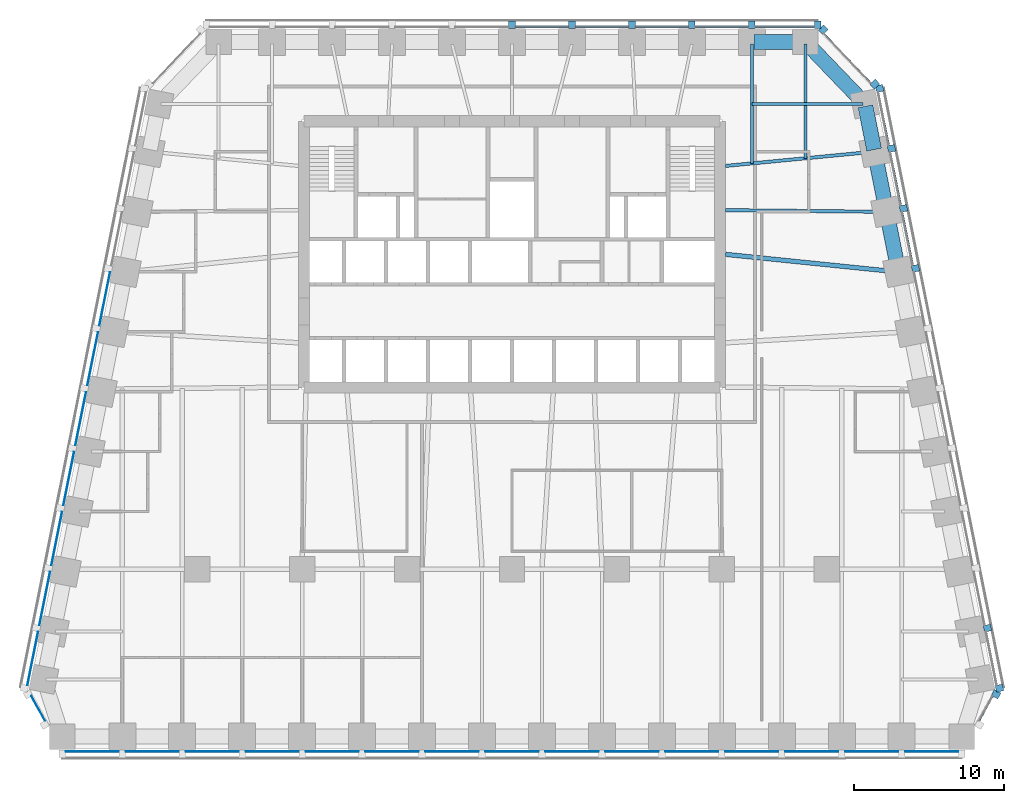
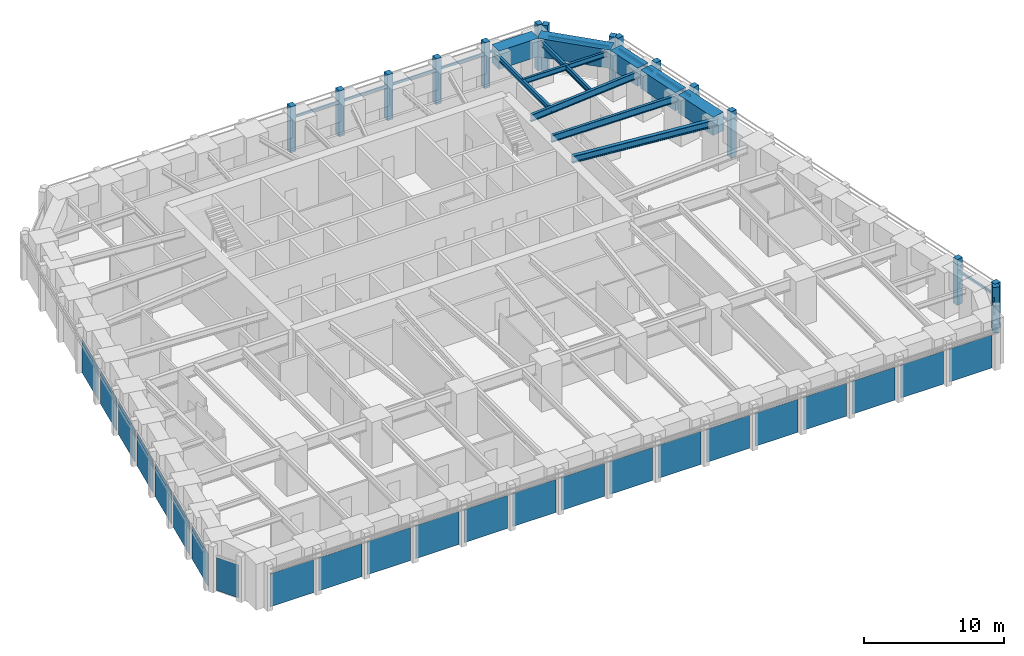
# One storey, part 4 of 10: 26 members, 23 plates, 11 beams, 7 elements without a shape of their own.
"""IFC4 building model written with IfcOpenShell, lengths in metres."""

from ifc_helpers import new_model, si_unit, direction, frame, origin, origin_2d, place, context, subcontext, project, spatial, rectangle, i_section, extrude, material, layer, layer_set, material_profile, profile_set, type_object, element, aggregate, save


model = new_model("IFC4")

# Units and contexts
model_context = context("Model", 3, precision=1e-05, world=origin(), true_north=direction((0.0, 1.0)))
body_context = subcontext(model_context, "Body", "Model", "MODEL_VIEW")
ifc_project = project(units=[si_unit("LENGTHUNIT", "METRE"), si_unit("AREAUNIT", "SQUARE_METRE"), si_unit("VOLUMEUNIT", "CUBIC_METRE"), si_unit("PLANEANGLEUNIT", "RADIAN"), si_unit("MASSUNIT", "GRAM", prefix="KILO")], contexts=[model_context])

# Site, building, storey
site_placement = place(None, origin())
site = spatial("IfcSite", under=ifc_project, at=site_placement, CompositionType="ELEMENT")
building_placement = place(site_placement, origin())
building = spatial("IfcBuilding", under=site, at=building_placement, Name="Isbrekke Arena Tower", CompositionType="ELEMENT")
storey_placement = place(building_placement, frame((0.0, 0.0, 107.0)))
storey = spatial("IfcBuildingStorey", under=building, at=storey_placement, Name="L23", CompositionType="ELEMENT", Elevation=107.0)

# Beams
ifc_material_1 = material(Name="Steel S355", Category="steel")
ifc_material_profile_1 = material_profile(ifc_material_1, i_section(OverallWidth=0.219970703125, OverallDepth=0.60009765625, WebThickness=0.011962890625, FlangeThickness=0.01904296875, FilletRadius=0.02392578125, at=origin_2d()), Name="IPE 600")
ifc_profile_set_1 = profile_set([ifc_material_profile_1], Name="Steel S355")
beam_type_1 = type_object("IfcBeamType", Name="B1 IPE 600", PredefinedType="BEAM", material=ifc_profile_set_1)
beam_1_placement = place(storey_placement, frame((24.83984375, 17.838134765625, 3.550048828125), z_axis=(-0.999944260169, 0.010558245831, 0.0), x_axis=(-0.010558245831, -0.999944260169, 0.0)))
element("IfcBeam", 1, at=beam_1_placement, inside=storey, type_object=beam_type_1, Name="B1 beam E-E09 L23", PredefinedType="BEAM", context=body_context, shape_type="SweptSolid", body=[
    extrude(i_section(OverallWidth=0.219970703125, OverallDepth=0.60009765625, WebThickness=0.011962890625, FlangeThickness=0.01904296875, FilletRadius=0.02392578125, at=origin_2d()), origin(), (0.0, 0.0, 1.0), 10.59033203125),
])
beam_2_placement = place(storey_placement, frame((24.030517578125, 21.837158203125, 3.550048828125), z_axis=(-0.995439798606, -0.095391862082, 0.0), x_axis=(0.095391862082, -0.995439798606, 0.0)))
element("IfcBeam", 2, at=beam_2_placement, inside=storey, type_object=beam_type_1, Name="B1 beam E-E10 L23", PredefinedType="BEAM", context=body_context, shape_type="SweptSolid", body=[
    extrude(i_section(OverallWidth=0.219970703125, OverallDepth=0.60009765625, WebThickness=0.011962890625, FlangeThickness=0.01904296875, FilletRadius=0.02392578125, at=origin_2d()), origin(), (0.0, 0.0, 1.0), 9.825439453125),
])
ifc_material_2 = material(Name="Steel S355", Category="steel")
ifc_material_profile_2 = material_profile(ifc_material_2, i_section(OverallWidth=0.18994140625, OverallDepth=0.449951171875, WebThickness=0.009521484375, FlangeThickness=0.0146484375, FilletRadius=0.02099609375, at=origin_2d()), Name="IPE 450")
ifc_profile_set_2 = profile_set([ifc_material_profile_2], Name="Steel S355")
beam_type_2 = type_object("IfcBeamType", Name="B2 IPE 450", PredefinedType="BEAM", material=ifc_profile_set_2)
beam_3_placement = place(storey_placement, frame((23.40283203125, 25.029296875, 3.625), z_axis=(-1.0, 0.0, 0.0), x_axis=(0.0, -1.0, 0.0)))
element("IfcBeam", 3, at=beam_3_placement, inside=storey, type_object=beam_type_2, Name="B2 beam E-E11 L23", PredefinedType="BEAM", context=body_context, shape_type="SweptSolid", body=[
    extrude(i_section(OverallWidth=0.18994140625, OverallDepth=0.449951171875, WebThickness=0.009521484375, FlangeThickness=0.0146484375, FilletRadius=0.02099609375, at=origin_2d()), origin(), (0.0, 0.0, 1.0), 7.40283203125),
])
ifc_material_3 = material(Name="Steel S355", Category="steel")
ifc_material_profile_3 = material_profile(ifc_material_3, i_section(OverallWidth=0.18994140625, OverallDepth=0.449951171875, WebThickness=0.009521484375, FlangeThickness=0.0146484375, FilletRadius=0.02099609375, at=origin_2d()), Name="IPE 450")
ifc_profile_set_3 = profile_set([ifc_material_profile_3], Name="Steel S355")
beam_type_3 = type_object("IfcBeamType", Name="B3 IPE 450", PredefinedType="BEAM", material=ifc_profile_set_3)
beam_4_placement = place(storey_placement, frame((19.574951171875, 29.02490234375, 3.625), z_axis=(0.0, -1.0, 0.0), x_axis=(1.0, 0.0, 0.0)))
element("IfcBeam", 4, at=beam_4_placement, inside=storey, type_object=beam_type_3, Name="B3 beam N-N01 L23", PredefinedType="BEAM", context=body_context, shape_type="SweptSolid", body=[
    extrude(i_section(OverallWidth=0.18994140625, OverallDepth=0.449951171875, WebThickness=0.009521484375, FlangeThickness=0.0146484375, FilletRadius=0.02099609375, at=origin_2d()), origin(), (0.0, 0.0, 1.0), 7.61474609375),
])
beam_5_placement = place(storey_placement, frame((16.0, 29.02490234375, 3.625), z_axis=(0.0, -1.0, 0.0), x_axis=(1.0, 0.0, 0.0)))
element("IfcBeam", 5, at=beam_5_placement, inside=storey, type_object=beam_type_3, Name="B3 beam N-N02 L23", PredefinedType="BEAM", context=body_context, shape_type="SweptSolid", body=[
    extrude(i_section(OverallWidth=0.18994140625, OverallDepth=0.449951171875, WebThickness=0.009521484375, FlangeThickness=0.0146484375, FilletRadius=0.02099609375, at=origin_2d()), origin(), (0.0, 0.0, 1.0), 7.957275390625),
])
ifc_material_4 = material(Name="Steel S355", Category="steel")
ifc_material_profile_4 = material_profile(ifc_material_4, i_section(OverallWidth=0.300048828125, OverallDepth=0.60009765625, WebThickness=0.015380859375, FlangeThickness=0.030029296875, FilletRadius=0.027099609375, at=origin_2d()), Name="HEB 600")
ifc_profile_set_4 = profile_set([ifc_material_profile_4], Name="Steel S355")
beam_type_4 = type_object("IfcBeamType", Name="B7 HEB 600", PredefinedType="BEAM", material=ifc_profile_set_4)
beam_6_placement = place(storey_placement, frame((25.6259765625, 13.83984375, 3.550048828125), z_axis=(-0.994839949319, 0.10145676537, 0.0), x_axis=(-0.10145676537, -0.994839949319, 0.0)))
element("IfcBeam", 6, at=beam_6_placement, inside=storey, type_object=beam_type_4, Name="B7 beam E-E08 L23", PredefinedType="BEAM", context=body_context, shape_type="SweptSolid", body=[
    extrude(i_section(OverallWidth=0.300048828125, OverallDepth=0.60009765625, WebThickness=0.015380859375, FlangeThickness=0.030029296875, FilletRadius=0.027099609375, at=origin_2d()), origin(), (0.0, 0.0, 1.0), 11.43505859375),
])

# Curtain wall, member
ifc_material_5 = material(Name="Glazed aluminium curtain wall", Category="aluminium")
curtain_wall_type = type_object("IfcCurtainWallType", Name="CWM TOWER CURTAIN WALL MID ZONE", PredefinedType="USERDEFINED", material=ifc_material_5)
curtain_wall_1_placement = place(storey_placement, origin())
curtain_wall_1 = element("IfcCurtainWall", 7, at=curtain_wall_1_placement, inside=storey, type_object=curtain_wall_type, Name="CWM curtain wall L23-SE", ObjectType="TOWER CURTAIN WALL MID ZONE", PredefinedType="USERDEFINED")
ifc_material_6 = material(Name="Aluminium mullion, pale brick slip cladding", Category="masonry")
ifc_material_profile_5 = material_profile(ifc_material_6, rectangle(XDim=0.449951171875, YDim=0.5, at=origin_2d()), Name="PIER 450X500")
ifc_profile_set_5 = profile_set([ifc_material_profile_5], Name="Aluminium mullion, pale brick slip cladding")
member_type_1 = type_object("IfcMemberType", Name="CWM-M PIER MULLION 450 x 500", PredefinedType="MULLION", material=ifc_profile_set_5)
member_1_placement = place(storey_placement, frame((32.296142578125, -14.34375, 0.0), z_axis=(0.0, 0.0, 1.0), x_axis=(0.481918749773, 0.876215908676, 0.0)))
member_1 = element("IfcMember", 8, at=member_1_placement, type_object=member_type_1, Name="CWM-M mullion 2", PredefinedType="MULLION", context=body_context, shape_type="SweptSolid", body=[
    extrude(rectangle(XDim=0.449951171875, YDim=0.5, at=origin_2d()), origin(), (0.0, 0.0, 1.0), 4.0),
])

# Curtain wall, members
curtain_wall_2_placement = place(storey_placement, origin())
curtain_wall_2 = element("IfcCurtainWall", 9, at=curtain_wall_2_placement, inside=storey, type_object=curtain_wall_type, Name="CWM curtain wall L23-E", ObjectType="TOWER CURTAIN WALL MID ZONE", PredefinedType="USERDEFINED")
member_2_placement = place(storey_placement, frame((32.518798828125, -13.936279296875, 0.0), z_axis=(0.0, 0.0, 1.0), x_axis=(-0.196116135138, 0.980580675691, 0.0)))
member_2 = element("IfcMember", 10, at=member_2_placement, type_object=member_type_1, Name="CWM-M mullion 1", PredefinedType="MULLION", context=body_context, shape_type="SweptSolid", body=[
    extrude(rectangle(XDim=0.449951171875, YDim=0.5, at=origin_2d()), origin(), (0.0, 0.0, 1.0), 4.0),
])
member_3_placement = place(storey_placement, frame((31.71875, -9.936279296875, 0.0), z_axis=(0.0, 0.0, 1.0), x_axis=(-0.196116135138, 0.980580675691, 0.0)))
member_3 = element("IfcMember", 11, at=member_3_placement, type_object=member_type_1, Name="CWM-M mullion 2", PredefinedType="MULLION", context=body_context, shape_type="SweptSolid", body=[
    extrude(rectangle(XDim=0.449951171875, YDim=0.5, at=origin_2d()), origin(), (0.0, 0.0, 1.0), 4.0),
])
member_4_placement = place(storey_placement, frame((26.918701171875, 14.063720703125, 0.0), z_axis=(0.0, 0.0, 1.0), x_axis=(-0.196116135138, 0.980580675691, 0.0)))
member_4 = element("IfcMember", 12, at=member_4_placement, type_object=member_type_1, Name="CWM-M mullion 8", PredefinedType="MULLION", context=body_context, shape_type="SweptSolid", body=[
    extrude(rectangle(XDim=0.449951171875, YDim=0.5, at=origin_2d()), origin(), (0.0, 0.0, 1.0), 4.0),
])
member_5_placement = place(storey_placement, frame((26.11865234375, 18.063720703125, 0.0), z_axis=(0.0, 0.0, 1.0), x_axis=(-0.196116135138, 0.980580675691, 0.0)))
member_5 = element("IfcMember", 13, at=member_5_placement, type_object=member_type_1, Name="CWM-M mullion 9", PredefinedType="MULLION", context=body_context, shape_type="SweptSolid", body=[
    extrude(rectangle(XDim=0.449951171875, YDim=0.5, at=origin_2d()), origin(), (0.0, 0.0, 1.0), 4.0),
])
member_6_placement = place(storey_placement, frame((25.318603515625, 22.063720703125, 0.0), z_axis=(0.0, 0.0, 1.0), x_axis=(-0.196116135138, 0.980580675691, 0.0)))
member_6 = element("IfcMember", 14, at=member_6_placement, type_object=member_type_1, Name="CWM-M mullion 10", PredefinedType="MULLION", context=body_context, shape_type="SweptSolid", body=[
    extrude(rectangle(XDim=0.449951171875, YDim=0.5, at=origin_2d()), origin(), (0.0, 0.0, 1.0), 4.0),
])
member_7_placement = place(storey_placement, frame((24.518798828125, 26.063720703125, 0.0), z_axis=(0.0, 0.0, 1.0), x_axis=(-0.196116135138, 0.980580675691, 0.0)))
member_7 = element("IfcMember", 15, at=member_7_placement, type_object=member_type_1, Name="CWM-M mullion 11", PredefinedType="MULLION", context=body_context, shape_type="SweptSolid", body=[
    extrude(rectangle(XDim=0.449951171875, YDim=0.5, at=origin_2d()), origin(), (0.0, 0.0, 1.0), 4.0),
])

curtain_wall_3_placement = place(storey_placement, origin())
curtain_wall_3 = element("IfcCurtainWall", 16, at=curtain_wall_3_placement, inside=storey, type_object=curtain_wall_type, Name="CWM curtain wall L23-EN", ObjectType="TOWER CURTAIN WALL MID ZONE", PredefinedType="USERDEFINED")
member_8_placement = place(storey_placement, frame((24.208251953125, 26.354248046875, 0.0), z_axis=(0.0, 0.0, 1.0), x_axis=(-0.68874946192, 0.72499943359, 0.0)))
member_8 = element("IfcMember", 17, at=member_8_placement, type_object=member_type_1, Name="CWM-M mullion 1", PredefinedType="MULLION", context=body_context, shape_type="SweptSolid", body=[
    extrude(rectangle(XDim=0.449951171875, YDim=0.5, at=origin_2d()), origin(), (0.0, 0.0, 1.0), 4.0),
])
member_9_placement = place(storey_placement, frame((20.7587890625, 29.9853515625, 0.0), z_axis=(0.0, 0.0, 1.0), x_axis=(-0.68874946192, 0.72499943359, 0.0)))
member_9 = element("IfcMember", 18, at=member_9_placement, type_object=member_type_1, Name="CWM-M mullion 2", PredefinedType="MULLION", context=body_context, shape_type="SweptSolid", body=[
    extrude(rectangle(XDim=0.449951171875, YDim=0.5, at=origin_2d()), origin(), (0.0, 0.0, 1.0), 4.0),
])

curtain_wall_4_placement = place(storey_placement, origin())
curtain_wall_4 = element("IfcCurtainWall", 19, at=curtain_wall_4_placement, inside=storey, type_object=curtain_wall_type, Name="CWM curtain wall L23-N", ObjectType="TOWER CURTAIN WALL MID ZONE", PredefinedType="USERDEFINED")
member_10_placement = place(storey_placement, frame((20.39990234375, 30.324951171875, 0.0), z_axis=(0.0, 0.0, 1.0), x_axis=(-1.0, 0.0, 0.0)))
member_10 = element("IfcMember", 20, at=member_10_placement, type_object=member_type_1, Name="CWM-M mullion 1", PredefinedType="MULLION", context=body_context, shape_type="SweptSolid", body=[
    extrude(rectangle(XDim=0.449951171875, YDim=0.5, at=origin_2d()), origin(), (0.0, 0.0, 1.0), 4.0),
])
member_11_placement = place(storey_placement, frame((16.0, 30.324951171875, 0.0), z_axis=(0.0, 0.0, 1.0), x_axis=(-1.0, 0.0, 0.0)))
member_11 = element("IfcMember", 21, at=member_11_placement, type_object=member_type_1, Name="CWM-M mullion 2", PredefinedType="MULLION", context=body_context, shape_type="SweptSolid", body=[
    extrude(rectangle(XDim=0.449951171875, YDim=0.5, at=origin_2d()), origin(), (0.0, 0.0, 1.0), 4.0),
])
member_12_placement = place(storey_placement, frame((12.0, 30.324951171875, 0.0), z_axis=(0.0, 0.0, 1.0), x_axis=(-1.0, 0.0, 0.0)))
member_12 = element("IfcMember", 22, at=member_12_placement, type_object=member_type_1, Name="CWM-M mullion 3", PredefinedType="MULLION", context=body_context, shape_type="SweptSolid", body=[
    extrude(rectangle(XDim=0.449951171875, YDim=0.5, at=origin_2d()), origin(), (0.0, 0.0, 1.0), 4.0),
])
member_13_placement = place(storey_placement, frame((8.0, 30.324951171875, 0.0), z_axis=(0.0, 0.0, 1.0), x_axis=(-1.0, 0.0, 0.0)))
member_13 = element("IfcMember", 23, at=member_13_placement, type_object=member_type_1, Name="CWM-M mullion 4", PredefinedType="MULLION", context=body_context, shape_type="SweptSolid", body=[
    extrude(rectangle(XDim=0.449951171875, YDim=0.5, at=origin_2d()), origin(), (0.0, 0.0, 1.0), 4.0),
])
member_14_placement = place(storey_placement, frame((4.0, 30.324951171875, 0.0), z_axis=(0.0, 0.0, 1.0), x_axis=(-1.0, 0.0, 0.0)))
member_14 = element("IfcMember", 24, at=member_14_placement, type_object=member_type_1, Name="CWM-M mullion 5", PredefinedType="MULLION", context=body_context, shape_type="SweptSolid", body=[
    extrude(rectangle(XDim=0.449951171875, YDim=0.5, at=origin_2d()), origin(), (0.0, 0.0, 1.0), 4.0),
])
member_15_placement = place(storey_placement, frame((0.0, 30.324951171875, 0.0), z_axis=(0.0, 0.0, 1.0), x_axis=(-1.0, 0.0, 0.0)))
member_15 = element("IfcMember", 25, at=member_15_placement, type_object=member_type_1, Name="CWM-M mullion 6", PredefinedType="MULLION", context=body_context, shape_type="SweptSolid", body=[
    extrude(rectangle(XDim=0.449951171875, YDim=0.5, at=origin_2d()), origin(), (0.0, 0.0, 1.0), 4.0),
])

# Member
ifc_material_7 = material(Name="Aluminium transom", Category="aluminium")
ifc_material_profile_6 = material_profile(ifc_material_7, rectangle(XDim=0.1201171875, YDim=0.199951171875, at=origin_2d()), Name="TRANSOM 120X200")
ifc_profile_set_6 = profile_set([ifc_material_profile_6], Name="Aluminium transom")
member_type_2 = type_object("IfcMemberType", Name="CWM-T TRANSOM 120 x 200", PredefinedType="USERDEFINED", material=ifc_profile_set_6)
member_16_placement = place(storey_placement, frame((31.152099609375, -16.112548828125, 3.0), z_axis=(0.482003669577, 0.876169197424, 0.0), x_axis=(-0.876169197424, 0.482003669577, 0.0)))
member_16 = element("IfcMember", 26, at=member_16_placement, type_object=member_type_2, Name="CWM-T transom 1", ObjectType="TRANSOM", PredefinedType="USERDEFINED", context=body_context, shape_type="SweptSolid", body=[
    extrude(rectangle(XDim=0.1201171875, YDim=0.199951171875, at=origin_2d()), origin(), (0.0, 0.0, 1.0), 1.876220703125),
])

aggregate(curtain_wall_1, [member_1, member_16])

member_17_placement = place(storey_placement, frame((32.327392578125, -13.7451171875, 3.0), z_axis=(-0.196090262229, 0.980585849918, 0.0), x_axis=(-0.980585849918, -0.196090262229, 0.0)))
member_17 = element("IfcMember", 27, at=member_17_placement, type_object=member_type_2, Name="CWM-T transom 1", ObjectType="TRANSOM", PredefinedType="USERDEFINED", context=body_context, shape_type="SweptSolid", body=[
    extrude(rectangle(XDim=0.1201171875, YDim=0.199951171875, at=origin_2d()), origin(), (0.0, 0.0, 1.0), 3.62939453125),
])

member_18_placement = place(storey_placement, frame((26.7275390625, 14.2548828125, 3.0), z_axis=(-0.196154943734, 0.980572913173, 0.0), x_axis=(-0.980572913173, -0.196154943734, 0.0)))
member_18 = element("IfcMember", 28, at=member_18_placement, type_object=member_type_2, Name="CWM-T transom 8", ObjectType="TRANSOM", PredefinedType="USERDEFINED", context=body_context, shape_type="SweptSolid", body=[
    extrude(rectangle(XDim=0.1201171875, YDim=0.199951171875, at=origin_2d()), origin(), (0.0, 0.0, 1.0), 3.62939453125),
])

member_19_placement = place(storey_placement, frame((25.927490234375, 18.2548828125, 3.0), z_axis=(-0.196090262229, 0.980585849918, 0.0), x_axis=(-0.980585849918, -0.196090262229, 0.0)))
member_19 = element("IfcMember", 29, at=member_19_placement, type_object=member_type_2, Name="CWM-T transom 9", ObjectType="TRANSOM", PredefinedType="USERDEFINED", context=body_context, shape_type="SweptSolid", body=[
    extrude(rectangle(XDim=0.1201171875, YDim=0.199951171875, at=origin_2d()), origin(), (0.0, 0.0, 1.0), 3.62939453125),
])

member_20_placement = place(storey_placement, frame((25.12744140625, 22.2548828125, 3.0), z_axis=(-0.196090262229, 0.980585849918, 0.0), x_axis=(-0.980585849918, -0.196090262229, 0.0)))
member_20 = element("IfcMember", 30, at=member_20_placement, type_object=member_type_2, Name="CWM-T transom 10", ObjectType="TRANSOM", PredefinedType="USERDEFINED", context=body_context, shape_type="SweptSolid", body=[
    extrude(rectangle(XDim=0.1201171875, YDim=0.199951171875, at=origin_2d()), origin(), (0.0, 0.0, 1.0), 3.62939453125),
])

aggregate(curtain_wall_2, [member_2, member_3, member_4, member_5, member_6, member_7, member_17, member_18, member_19, member_20])

member_21_placement = place(storey_placement, frame((23.944580078125, 26.4140625, 3.0), z_axis=(-0.688771983213, 0.724978037696, 0.0), x_axis=(-0.724978037696, -0.688771983213, 0.0)))
member_21 = element("IfcMember", 31, at=member_21_placement, type_object=member_type_2, Name="CWM-T transom 1", ObjectType="TRANSOM", PredefinedType="USERDEFINED", context=body_context, shape_type="SweptSolid", body=[
    extrude(rectangle(XDim=0.1201171875, YDim=0.199951171875, at=origin_2d()), origin(), (0.0, 0.0, 1.0), 4.558349609375),
])

aggregate(curtain_wall_3, [member_8, member_9, member_21])

member_22_placement = place(storey_placement, frame((20.175048828125, 30.175048828125, 3.0), z_axis=(-1.0, 0.0, 0.0), x_axis=(0.0, -1.0, 0.0)))
member_22 = element("IfcMember", 32, at=member_22_placement, type_object=member_type_2, Name="CWM-T transom 1", ObjectType="TRANSOM", PredefinedType="USERDEFINED", context=body_context, shape_type="SweptSolid", body=[
    extrude(rectangle(XDim=0.1201171875, YDim=0.199951171875, at=origin_2d()), origin(), (0.0, 0.0, 1.0), 3.949951171875),
])

member_23_placement = place(storey_placement, frame((15.77490234375, 30.175048828125, 3.0), z_axis=(-1.0, 0.0, 0.0), x_axis=(0.0, -1.0, 0.0)))
member_23 = element("IfcMember", 33, at=member_23_placement, type_object=member_type_2, Name="CWM-T transom 2", ObjectType="TRANSOM", PredefinedType="USERDEFINED", context=body_context, shape_type="SweptSolid", body=[
    extrude(rectangle(XDim=0.1201171875, YDim=0.199951171875, at=origin_2d()), origin(), (0.0, 0.0, 1.0), 3.5498046875),
])

member_24_placement = place(storey_placement, frame((11.77490234375, 30.175048828125, 3.0), z_axis=(-1.0, 0.0, 0.0), x_axis=(0.0, -1.0, 0.0)))
member_24 = element("IfcMember", 34, at=member_24_placement, type_object=member_type_2, Name="CWM-T transom 3", ObjectType="TRANSOM", PredefinedType="USERDEFINED", context=body_context, shape_type="SweptSolid", body=[
    extrude(rectangle(XDim=0.1201171875, YDim=0.199951171875, at=origin_2d()), origin(), (0.0, 0.0, 1.0), 3.5498046875),
])

member_25_placement = place(storey_placement, frame((7.77490234375, 30.175048828125, 3.0), z_axis=(-1.0, 0.0, 0.0), x_axis=(0.0, -1.0, 0.0)))
member_25 = element("IfcMember", 35, at=member_25_placement, type_object=member_type_2, Name="CWM-T transom 4", ObjectType="TRANSOM", PredefinedType="USERDEFINED", context=body_context, shape_type="SweptSolid", body=[
    extrude(rectangle(XDim=0.1201171875, YDim=0.199951171875, at=origin_2d()), origin(), (0.0, 0.0, 1.0), 3.5498046875),
])

member_26_placement = place(storey_placement, frame((3.77490234375, 30.175048828125, 3.0), z_axis=(-1.0, 0.0, 0.0), x_axis=(0.0, -1.0, 0.0)))
member_26 = element("IfcMember", 36, at=member_26_placement, type_object=member_type_2, Name="CWM-T transom 5", ObjectType="TRANSOM", PredefinedType="USERDEFINED", context=body_context, shape_type="SweptSolid", body=[
    extrude(rectangle(XDim=0.1201171875, YDim=0.199951171875, at=origin_2d()), origin(), (0.0, 0.0, 1.0), 3.5498046875),
])

aggregate(curtain_wall_4, [member_10, member_11, member_12, member_13, member_14, member_15, member_22, member_23, member_24, member_25, member_26])

# Beams
ifc_material_8 = material(Name="Concrete B80 (C80/95)", Category="concrete")
ifc_material_profile_7 = material_profile(ifc_material_8, rectangle(XDim=1.0, YDim=1.60009765625, at=origin_2d()), Name="RC 1000x1600")
ifc_profile_set_7 = profile_set([ifc_material_profile_7], Name="Concrete B80 (C80/95)")
beam_type_5 = type_object("IfcBeamType", Name="SB2 RC 1000 x 1600", PredefinedType="SPANDREL", material=ifc_profile_set_7)
for number, where, z_axis, x_axis, name in (
    (37, (25.76171875, 13.9853515625, 3.199951171875), (-0.196128558387, 0.980578190959, 0.0), (-0.980578190959, -0.196128558387, 0.0), "SB2 spandrel E08-E09 L23"),
    (38, (24.961669921875, 17.9853515625, 3.199951171875), (-0.196128558387, 0.980578190959, 0.0), (-0.980578190959, -0.196128558387, 0.0), "SB2 spandrel E09-E10 L23"),
):
    element("IfcBeam", number, at=place(storey_placement, frame(where, z_axis=z_axis, x_axis=x_axis)), inside=storey, type_object=beam_type_5, Name=name, PredefinedType="SPANDREL", context=body_context, shape_type="SweptSolid", body=[
        extrude(rectangle(XDim=1.0, YDim=1.60009765625, at=origin_2d()), origin(), (0.0, 0.0, 1.0), 3.779296875),
    ])
beam_7_placement = place(storey_placement, frame((24.16162109375, 21.9853515625, 3.199951171875), z_axis=(-0.196116135138, 0.980580675691, 0.0), x_axis=(-0.980580675691, -0.196116135138, 0.0)))
element("IfcBeam", 39, at=beam_7_placement, inside=storey, type_object=beam_type_5, Name="SB2 spandrel E10-E11 L23", PredefinedType="SPANDREL", context=body_context, shape_type="SweptSolid", body=[
    extrude(rectangle(XDim=1.0, YDim=1.60009765625, at=origin_2d()), origin(), (0.0, 0.0, 1.0), 2.9541015625),
])
beam_8_placement = place(storey_placement, frame((23.448974609375, 25.137451171875, 3.199951171875), z_axis=(-0.692339547635, 0.721571861134, 0.0), x_axis=(-0.721571861134, -0.692339547635, 0.0)))
element("IfcBeam", 40, at=beam_8_placement, inside=storey, type_object=beam_type_5, Name="SB2 spandrel E11-N01 L23", PredefinedType="SPANDREL", context=body_context, shape_type="SweptSolid", body=[
    extrude(rectangle(XDim=1.0, YDim=1.60009765625, at=origin_2d()), origin(), (0.0, 0.0, 1.0), 5.4453125),
])
beam_9_placement = place(storey_placement, frame((19.425048828125, 29.175048828125, 3.199951171875), z_axis=(-1.0, 0.0, 0.0), x_axis=(0.0, -1.0, 0.0)))
element("IfcBeam", 41, at=beam_9_placement, inside=storey, type_object=beam_type_5, Name="SB2 spandrel N01-N02 L23", PredefinedType="SPANDREL", context=body_context, shape_type="SweptSolid", body=[
    extrude(rectangle(XDim=1.0, YDim=1.60009765625, at=origin_2d()), origin(), (0.0, 0.0, 1.0), 3.275146484375),
])

# Curtain wall, plates
curtain_wall_5_placement = place(storey_placement, origin())
curtain_wall_5 = element("IfcCurtainWall", 42, at=curtain_wall_5_placement, inside=storey, type_object=curtain_wall_type, Name="CWM curtain wall L23-S", ObjectType="TOWER CURTAIN WALL MID ZONE", PredefinedType="USERDEFINED")
ifc_material_9 = material(Name="Triple-glazed clear glass unit", Category="glass")
ifc_layer = layer(ifc_material_9, 0.031982421875)
ifc_layer_set = layer_set([ifc_layer], Name="CWM-P VISION PANEL")
plate_type = type_object("IfcPlateType", Name="CWM-P VISION PANEL", PredefinedType="CURTAIN_PANEL", material=ifc_layer_set)
plate_1_placement = place(storey_placement, frame((-28.0, -18.175048828125, 0.02001953125), z_axis=(0.0, 0.0, 1.0), x_axis=(1.0, 0.0, 0.0)))
plate_1 = element("IfcPlate", 43, at=plate_1_placement, type_object=plate_type, Name="CWM-P panel 1", PredefinedType="CURTAIN_PANEL", context=body_context, shape_type="SweptSolid", body=[
    extrude(rectangle(XDim=3.550048828125, YDim=0.031982421875, at=origin_2d()), origin(), (0.0, 0.0, 1.0), 2.8798828125),
])
plate_2_placement = place(storey_placement, frame((-24.0, -18.175048828125, 0.02001953125), z_axis=(0.0, 0.0, 1.0), x_axis=(1.0, 0.0, 0.0)))
plate_2 = element("IfcPlate", 44, at=plate_2_placement, type_object=plate_type, Name="CWM-P panel 2", PredefinedType="CURTAIN_PANEL", context=body_context, shape_type="SweptSolid", body=[
    extrude(rectangle(XDim=3.550048828125, YDim=0.031982421875, at=origin_2d()), origin(), (0.0, 0.0, 1.0), 2.8798828125),
])
plate_3_placement = place(storey_placement, frame((-20.0, -18.175048828125, 0.02001953125), z_axis=(0.0, 0.0, 1.0), x_axis=(1.0, 0.0, 0.0)))
plate_3 = element("IfcPlate", 45, at=plate_3_placement, type_object=plate_type, Name="CWM-P panel 3", PredefinedType="CURTAIN_PANEL", context=body_context, shape_type="SweptSolid", body=[
    extrude(rectangle(XDim=3.550048828125, YDim=0.031982421875, at=origin_2d()), origin(), (0.0, 0.0, 1.0), 2.8798828125),
])
plate_4_placement = place(storey_placement, frame((-16.0, -18.175048828125, 0.02001953125), z_axis=(0.0, 0.0, 1.0), x_axis=(1.0, 0.0, 0.0)))
plate_4 = element("IfcPlate", 46, at=plate_4_placement, type_object=plate_type, Name="CWM-P panel 4", PredefinedType="CURTAIN_PANEL", context=body_context, shape_type="SweptSolid", body=[
    extrude(rectangle(XDim=3.550048828125, YDim=0.031982421875, at=origin_2d()), origin(), (0.0, 0.0, 1.0), 2.8798828125),
])
plate_5_placement = place(storey_placement, frame((-12.0, -18.175048828125, 0.02001953125), z_axis=(0.0, 0.0, 1.0), x_axis=(1.0, 0.0, 0.0)))
plate_5 = element("IfcPlate", 47, at=plate_5_placement, type_object=plate_type, Name="CWM-P panel 5", PredefinedType="CURTAIN_PANEL", context=body_context, shape_type="SweptSolid", body=[
    extrude(rectangle(XDim=3.550048828125, YDim=0.031982421875, at=origin_2d()), origin(), (0.0, 0.0, 1.0), 2.8798828125),
])
plate_6_placement = place(storey_placement, frame((-8.0, -18.175048828125, 0.02001953125), z_axis=(0.0, 0.0, 1.0), x_axis=(1.0, 0.0, 0.0)))
plate_6 = element("IfcPlate", 48, at=plate_6_placement, type_object=plate_type, Name="CWM-P panel 6", PredefinedType="CURTAIN_PANEL", context=body_context, shape_type="SweptSolid", body=[
    extrude(rectangle(XDim=3.550048828125, YDim=0.031982421875, at=origin_2d()), origin(), (0.0, 0.0, 1.0), 2.8798828125),
])
plate_7_placement = place(storey_placement, frame((-4.0, -18.175048828125, 0.02001953125), z_axis=(0.0, 0.0, 1.0), x_axis=(1.0, 0.0, 0.0)))
plate_7 = element("IfcPlate", 49, at=plate_7_placement, type_object=plate_type, Name="CWM-P panel 7", PredefinedType="CURTAIN_PANEL", context=body_context, shape_type="SweptSolid", body=[
    extrude(rectangle(XDim=3.550048828125, YDim=0.031982421875, at=origin_2d()), origin(), (0.0, 0.0, 1.0), 2.8798828125),
])
plate_8_placement = place(storey_placement, frame((0.0, -18.175048828125, 0.02001953125), z_axis=(0.0, 0.0, 1.0), x_axis=(1.0, 0.0, 0.0)))
plate_8 = element("IfcPlate", 50, at=plate_8_placement, type_object=plate_type, Name="CWM-P panel 8", PredefinedType="CURTAIN_PANEL", context=body_context, shape_type="SweptSolid", body=[
    extrude(rectangle(XDim=3.550048828125, YDim=0.031982421875, at=origin_2d()), origin(), (0.0, 0.0, 1.0), 2.8798828125),
])
plate_9_placement = place(storey_placement, frame((4.0, -18.175048828125, 0.02001953125), z_axis=(0.0, 0.0, 1.0), x_axis=(1.0, 0.0, 0.0)))
plate_9 = element("IfcPlate", 51, at=plate_9_placement, type_object=plate_type, Name="CWM-P panel 9", PredefinedType="CURTAIN_PANEL", context=body_context, shape_type="SweptSolid", body=[
    extrude(rectangle(XDim=3.550048828125, YDim=0.031982421875, at=origin_2d()), origin(), (0.0, 0.0, 1.0), 2.8798828125),
])
plate_10_placement = place(storey_placement, frame((8.0, -18.175048828125, 0.02001953125), z_axis=(0.0, 0.0, 1.0), x_axis=(1.0, 0.0, 0.0)))
plate_10 = element("IfcPlate", 52, at=plate_10_placement, type_object=plate_type, Name="CWM-P panel 10", PredefinedType="CURTAIN_PANEL", context=body_context, shape_type="SweptSolid", body=[
    extrude(rectangle(XDim=3.550048828125, YDim=0.031982421875, at=origin_2d()), origin(), (0.0, 0.0, 1.0), 2.8798828125),
])
plate_11_placement = place(storey_placement, frame((12.0, -18.175048828125, 0.02001953125), z_axis=(0.0, 0.0, 1.0), x_axis=(1.0, 0.0, 0.0)))
plate_11 = element("IfcPlate", 53, at=plate_11_placement, type_object=plate_type, Name="CWM-P panel 11", PredefinedType="CURTAIN_PANEL", context=body_context, shape_type="SweptSolid", body=[
    extrude(rectangle(XDim=3.550048828125, YDim=0.031982421875, at=origin_2d()), origin(), (0.0, 0.0, 1.0), 2.8798828125),
])
plate_12_placement = place(storey_placement, frame((16.0, -18.175048828125, 0.02001953125), z_axis=(0.0, 0.0, 1.0), x_axis=(1.0, 0.0, 0.0)))
plate_12 = element("IfcPlate", 54, at=plate_12_placement, type_object=plate_type, Name="CWM-P panel 12", PredefinedType="CURTAIN_PANEL", context=body_context, shape_type="SweptSolid", body=[
    extrude(rectangle(XDim=3.550048828125, YDim=0.031982421875, at=origin_2d()), origin(), (0.0, 0.0, 1.0), 2.8798828125),
])
plate_13_placement = place(storey_placement, frame((20.0, -18.175048828125, 0.02001953125), z_axis=(0.0, 0.0, 1.0), x_axis=(1.0, 0.0, 0.0)))
plate_13 = element("IfcPlate", 55, at=plate_13_placement, type_object=plate_type, Name="CWM-P panel 13", PredefinedType="CURTAIN_PANEL", context=body_context, shape_type="SweptSolid", body=[
    extrude(rectangle(XDim=3.550048828125, YDim=0.031982421875, at=origin_2d()), origin(), (0.0, 0.0, 1.0), 2.8798828125),
])
plate_14_placement = place(storey_placement, frame((24.0, -18.175048828125, 0.02001953125), z_axis=(0.0, 0.0, 1.0), x_axis=(1.0, 0.0, 0.0)))
plate_14 = element("IfcPlate", 56, at=plate_14_placement, type_object=plate_type, Name="CWM-P panel 14", PredefinedType="CURTAIN_PANEL", context=body_context, shape_type="SweptSolid", body=[
    extrude(rectangle(XDim=3.550048828125, YDim=0.031982421875, at=origin_2d()), origin(), (0.0, 0.0, 1.0), 2.8798828125),
])
plate_15_placement = place(storey_placement, frame((28.0, -18.175048828125, 0.02001953125), z_axis=(0.0, 0.0, 1.0), x_axis=(1.0, 0.0, 0.0)))
plate_15 = element("IfcPlate", 57, at=plate_15_placement, type_object=plate_type, Name="CWM-P panel 15", PredefinedType="CURTAIN_PANEL", context=body_context, shape_type="SweptSolid", body=[
    extrude(rectangle(XDim=3.550048828125, YDim=0.031982421875, at=origin_2d()), origin(), (0.0, 0.0, 1.0), 2.8798828125),
])
aggregate(curtain_wall_5, [plate_1, plate_2, plate_3, plate_4, plate_5, plate_6, plate_7, plate_8, plate_9, plate_10, plate_11, plate_12, plate_13, plate_14, plate_15])

curtain_wall_6_placement = place(storey_placement, origin())
curtain_wall_6 = element("IfcCurtainWall", 58, at=curtain_wall_6_placement, inside=storey, type_object=curtain_wall_type, Name="CWM curtain wall L23-W", ObjectType="TOWER CURTAIN WALL MID ZONE", PredefinedType="USERDEFINED")
plate_16_placement = place(storey_placement, frame((-27.171630859375, 12.034423828125, 0.02001953125), z_axis=(0.0, 0.0, 1.0), x_axis=(-0.196116135138, -0.980580675691, 0.0)))
plate_16 = element("IfcPlate", 59, at=plate_16_placement, type_object=plate_type, Name="CWM-P panel 4", PredefinedType="CURTAIN_PANEL", context=body_context, shape_type="SweptSolid", body=[
    extrude(rectangle(XDim=3.629150390625, YDim=0.031982421875, at=origin_2d()), origin(), (0.0, 0.0, 1.0), 2.8798828125),
])
plate_17_placement = place(storey_placement, frame((-27.9716796875, 8.034423828125, 0.02001953125), z_axis=(0.0, 0.0, 1.0), x_axis=(-0.196116135138, -0.980580675691, 0.0)))
plate_17 = element("IfcPlate", 60, at=plate_17_placement, type_object=plate_type, Name="CWM-P panel 5", PredefinedType="CURTAIN_PANEL", context=body_context, shape_type="SweptSolid", body=[
    extrude(rectangle(XDim=3.629150390625, YDim=0.031982421875, at=origin_2d()), origin(), (0.0, 0.0, 1.0), 2.8798828125),
])
plate_18_placement = place(storey_placement, frame((-28.771484375, 4.034423828125, 0.02001953125), z_axis=(0.0, 0.0, 1.0), x_axis=(-0.196116135138, -0.980580675691, 0.0)))
plate_18 = element("IfcPlate", 61, at=plate_18_placement, type_object=plate_type, Name="CWM-P panel 6", PredefinedType="CURTAIN_PANEL", context=body_context, shape_type="SweptSolid", body=[
    extrude(rectangle(XDim=3.629150390625, YDim=0.031982421875, at=origin_2d()), origin(), (0.0, 0.0, 1.0), 2.8798828125),
])
plate_19_placement = place(storey_placement, frame((-29.571533203125, 0.034423828125, 0.02001953125), z_axis=(0.0, 0.0, 1.0), x_axis=(-0.196116135138, -0.980580675691, 0.0)))
plate_19 = element("IfcPlate", 62, at=plate_19_placement, type_object=plate_type, Name="CWM-P panel 7", PredefinedType="CURTAIN_PANEL", context=body_context, shape_type="SweptSolid", body=[
    extrude(rectangle(XDim=3.629150390625, YDim=0.031982421875, at=origin_2d()), origin(), (0.0, 0.0, 1.0), 2.8798828125),
])
plate_20_placement = place(storey_placement, frame((-30.37158203125, -3.965576171875, 0.02001953125), z_axis=(0.0, 0.0, 1.0), x_axis=(-0.196116135138, -0.980580675691, 0.0)))
plate_20 = element("IfcPlate", 63, at=plate_20_placement, type_object=plate_type, Name="CWM-P panel 8", PredefinedType="CURTAIN_PANEL", context=body_context, shape_type="SweptSolid", body=[
    extrude(rectangle(XDim=3.629150390625, YDim=0.031982421875, at=origin_2d()), origin(), (0.0, 0.0, 1.0), 2.8798828125),
])
plate_21_placement = place(storey_placement, frame((-31.171630859375, -7.965576171875, 0.02001953125), z_axis=(0.0, 0.0, 1.0), x_axis=(-0.196116135138, -0.980580675691, 0.0)))
plate_21 = element("IfcPlate", 64, at=plate_21_placement, type_object=plate_type, Name="CWM-P panel 9", PredefinedType="CURTAIN_PANEL", context=body_context, shape_type="SweptSolid", body=[
    extrude(rectangle(XDim=3.629150390625, YDim=0.031982421875, at=origin_2d()), origin(), (0.0, 0.0, 1.0), 2.8798828125),
])
plate_22_placement = place(storey_placement, frame((-31.9716796875, -11.965576171875, 0.02001953125), z_axis=(0.0, 0.0, 1.0), x_axis=(-0.196116135138, -0.980580675691, 0.0)))
plate_22 = element("IfcPlate", 65, at=plate_22_placement, type_object=plate_type, Name="CWM-P panel 10", PredefinedType="CURTAIN_PANEL", context=body_context, shape_type="SweptSolid", body=[
    extrude(rectangle(XDim=3.629150390625, YDim=0.031982421875, at=origin_2d()), origin(), (0.0, 0.0, 1.0), 2.8798828125),
])
aggregate(curtain_wall_6, [plate_16, plate_17, plate_18, plate_19, plate_20, plate_21, plate_22])

# Curtain wall, plate
curtain_wall_7_placement = place(storey_placement, origin())
curtain_wall_7 = element("IfcCurtainWall", 66, at=curtain_wall_7_placement, inside=storey, type_object=curtain_wall_type, Name="CWM curtain wall L23-WS", ObjectType="TOWER CURTAIN WALL MID ZONE", PredefinedType="USERDEFINED")
plate_23_placement = place(storey_placement, frame((-31.60400390625, -15.291015625, 0.02001953125), z_axis=(0.0, 0.0, 1.0), x_axis=(0.481918749773, -0.876215908676, 0.0)))
plate_23 = element("IfcPlate", 67, at=plate_23_placement, type_object=plate_type, Name="CWM-P panel 1", PredefinedType="CURTAIN_PANEL", context=body_context, shape_type="SweptSolid", body=[
    extrude(rectangle(XDim=1.878173828125, YDim=0.031982421875, at=origin_2d()), origin(), (0.0, 0.0, 1.0), 2.8798828125),
])
aggregate(curtain_wall_7, [plate_23])

save(model, "model.ifc")
